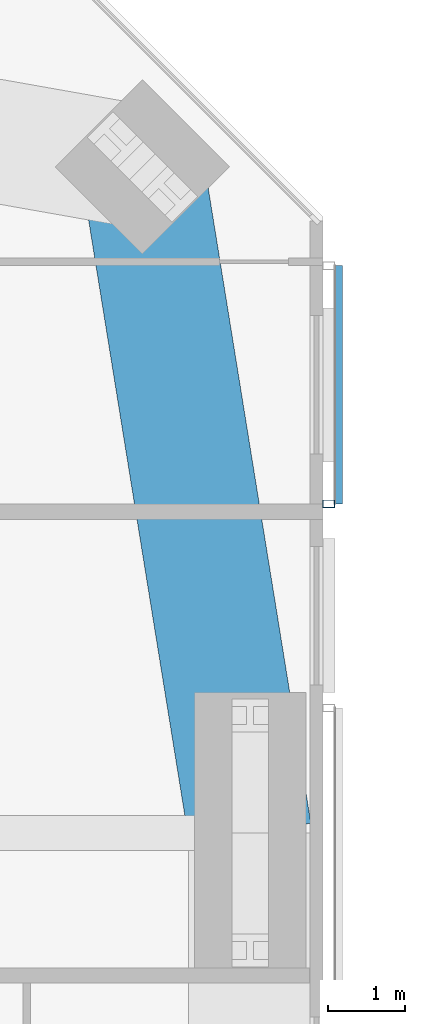
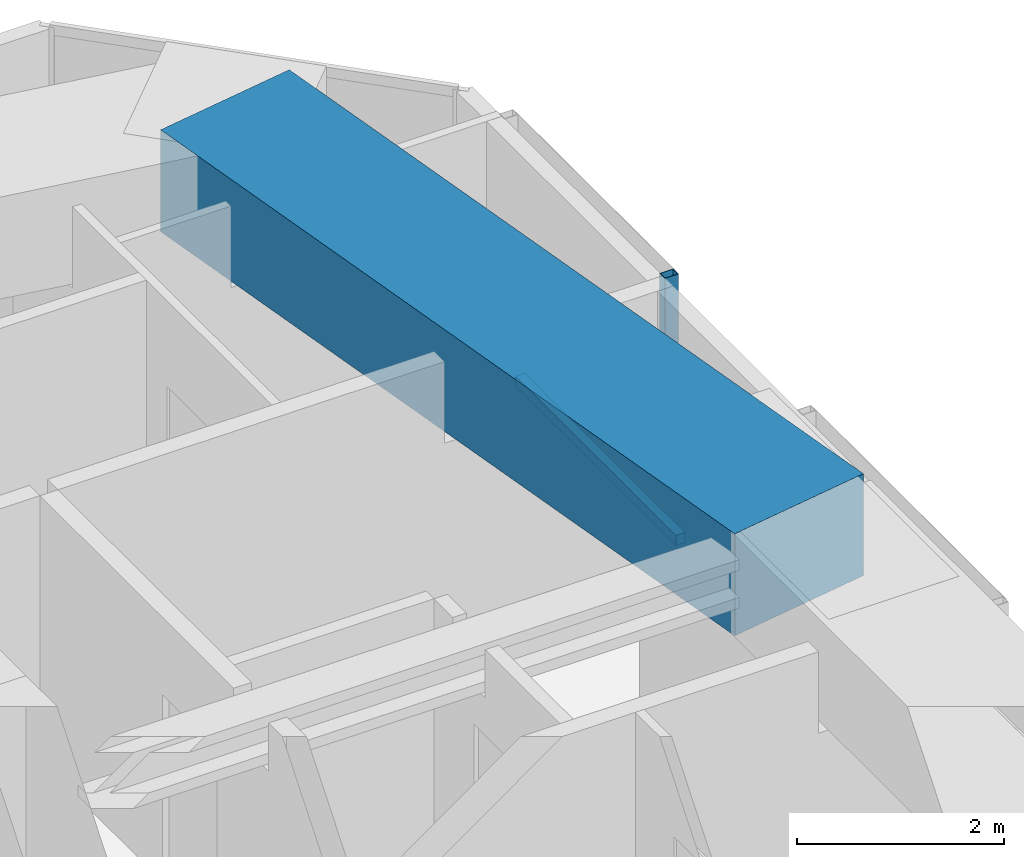
# One storey, part 10 of 23: 2 members, 1 beam, 1 element without a shape of its own.
"""IFC4 building model written with IfcOpenShell, lengths in metres."""

from ifc_helpers import new_model, si_unit, direction, frame, origin, origin_2d, place, context, subcontext, project, spatial, rectangle, hollow_rectangle, extrude, material, material_profile, profile_set, type_object, element, aggregate, save


model = new_model("IFC4")

# Units and contexts
model_context = context("Model", 3, precision=1e-05, world=origin(), true_north=direction((0.0, 1.0)))
body_context = subcontext(model_context, "Body", "Model", "MODEL_VIEW")
ifc_project = project(units=[si_unit("LENGTHUNIT", "METRE"), si_unit("AREAUNIT", "SQUARE_METRE"), si_unit("VOLUMEUNIT", "CUBIC_METRE"), si_unit("PLANEANGLEUNIT", "RADIAN"), si_unit("MASSUNIT", "GRAM", prefix="KILO")], contexts=[model_context])

# Site, building, storey
site_placement = place(None, origin())
site = spatial("IfcSite", under=ifc_project, at=site_placement, CompositionType="ELEMENT")
building_placement = place(site_placement, origin())
building = spatial("IfcBuilding", under=site, at=building_placement, Name="Jalousie Tower", CompositionType="ELEMENT")
storey_placement = place(building_placement, frame((0.0, 0.0, 181.14990234375)))
storey = spatial("IfcBuildingStorey", under=building, at=storey_placement, Name="L49", CompositionType="ELEMENT", Elevation=181.14990234375)

# Beam
ifc_material_1 = material(Name="Concrete f'c 40 MPa", Category="concrete")
ifc_material_profile_1 = material_profile(ifc_material_1, rectangle(XDim=1.60009765625, YDim=1.199951171875, at=origin_2d()), Name="RC 1600x1200")
ifc_profile_set_1 = profile_set([ifc_material_profile_1], Name="Concrete f'c 40 MPa")
beam_type = type_object("IfcBeamType", Name="RC BEAM 1600x1200", PredefinedType="BEAM", material=ifc_profile_set_1)
beam_placement = place(storey_placement, frame((52.050048828125, 25.0, 2.75), z_axis=(-0.159567878256, 0.987186959106, 0.0), x_axis=(-0.987186959106, -0.159567878256, 0.0)))
element("IfcBeam", 1, at=beam_placement, inside=storey, type_object=beam_type, Name="Edge band beam 07-08 under L50", PredefinedType="BEAM", context=body_context, shape_type="SweptSolid", body=[
    extrude(rectangle(XDim=1.60009765625, YDim=1.199951171875, at=origin_2d()), origin(), (0.0, 0.0, 1.0), 8.763916015625),
])

# Curtain wall, members
ifc_material_2 = material(Name="Perforated aluminium sheet", Category="aluminium")
curtain_wall_type = type_object("IfcCurtainWallType", Name="SOLAR SCREEN SS-1", PredefinedType="USERDEFINED", material=ifc_material_2)
curtain_wall_placement = place(storey_placement, origin())
curtain_wall = element("IfcCurtainWall", 2, at=curtain_wall_placement, inside=storey, type_object=curtain_wall_type, Name="Solar screen L49", ObjectType="SOLAR SCREEN SS-1", PredefinedType="USERDEFINED")
ifc_material_3 = material(Name="Steel ASTM A500 Grade C", Category="steel")
ifc_material_profile_2 = material_profile(ifc_material_3, hollow_rectangle(XDim=0.1015625, YDim=0.15234375, WallThickness=0.00634765625, at=origin_2d()), Name="HSS6X4X1/4")
ifc_profile_set_2 = profile_set([ifc_material_profile_2], Name="Steel ASTM A500 Grade C")
member_type_1 = type_object("IfcMemberType", Name="SOLAR SCREEN SS-1 MULLION", PredefinedType="MULLION", material=ifc_profile_set_2)
member_1_placement = place(storey_placement, frame((53.0712890625, 29.27490234375, -0.119873046875), z_axis=(0.0, 0.0, 1.0), x_axis=(0.0, 1.0, 0.0)))
member_1 = element("IfcMember", 3, at=member_1_placement, type_object=member_type_1, Name="SS1 post 1", PredefinedType="MULLION", context=body_context, shape_type="SweptSolid", body=[
    extrude(hollow_rectangle(XDim=0.1015625, YDim=0.15234375, WallThickness=0.00634765625, at=origin_2d()), origin(), (0.0, 0.0, 1.0), 3.22998046875),
])
ifc_material_4 = material(Name="Extruded aluminium screen rail", Category="aluminium")
ifc_material_profile_3 = material_profile(ifc_material_4, rectangle(XDim=0.1015625, YDim=0.1201171875, at=origin_2d()), Name="RAIL 102x120")
ifc_profile_set_3 = profile_set([ifc_material_profile_3], Name="Extruded aluminium screen rail")
member_type_2 = type_object("IfcMemberType", Name="SOLAR SCREEN SS-1 TRANSOM", PredefinedType="USERDEFINED", material=ifc_profile_set_3)
member_2_placement = place(storey_placement, frame((53.1982421875, 29.27490234375, -0.059814453125), z_axis=(0.0, 1.0, 0.0), x_axis=(-1.0, 0.0, 0.0)))
member_2 = element("IfcMember", 4, at=member_2_placement, type_object=member_type_2, Name="SS1 rail", ObjectType="TRANSOM", PredefinedType="USERDEFINED", context=body_context, shape_type="SweptSolid", body=[
    extrude(rectangle(XDim=0.1015625, YDim=0.1201171875, at=origin_2d()), origin(), (0.0, 0.0, 1.0), 3.09521484375),
])
aggregate(curtain_wall, [member_1, member_2])

save(model, "model.ifc")
